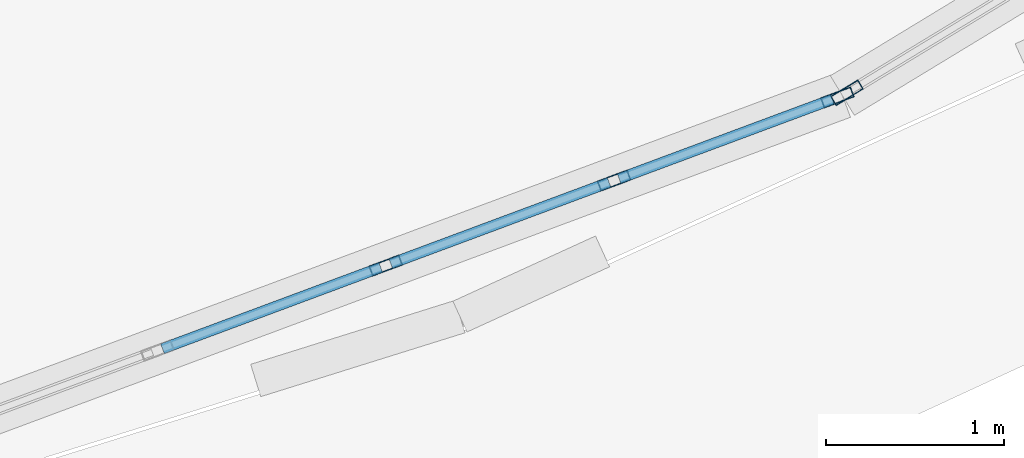
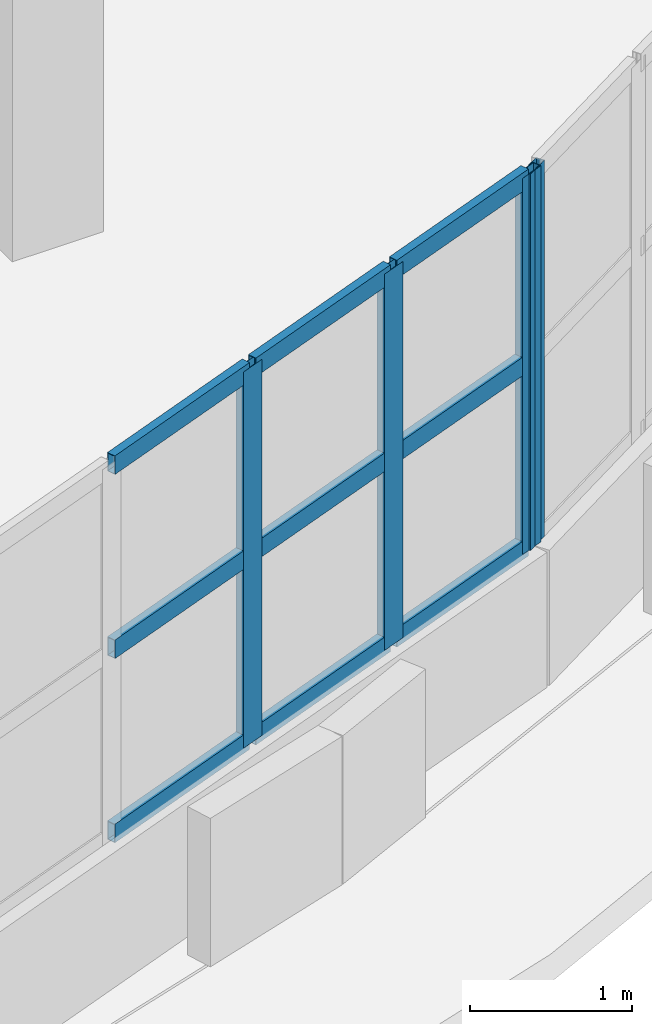
# One storey, part 13 of 105: 13 members, 2 elements without a shape of their own.
"""IFC4 building model written with IfcOpenShell, lengths in metres."""

from ifc_helpers import new_model, si_unit, direction, frame, origin, origin_2d, place, context, subcontext, project, spatial, hollow_rectangle, extrude, material, layer, layer_set, material_profile, profile_set, type_object, element, aggregate, save


model = new_model("IFC4")

# Units and contexts
model_context = context("Model", 3, precision=1e-05, world=origin(), true_north=direction((0.0, 1.0)))
body_context = subcontext(model_context, "Body", "Model", "MODEL_VIEW")
ifc_project = project(units=[si_unit("LENGTHUNIT", "METRE"), si_unit("AREAUNIT", "SQUARE_METRE"), si_unit("VOLUMEUNIT", "CUBIC_METRE"), si_unit("PLANEANGLEUNIT", "RADIAN"), si_unit("MASSUNIT", "GRAM", prefix="KILO")], contexts=[model_context])

# Site, building, storey
site_placement = place(None, origin())
site = spatial("IfcSite", under=ifc_project, at=site_placement, CompositionType="ELEMENT")
building_placement = place(site_placement, origin())
building = spatial("IfcBuilding", under=site, at=building_placement, Name="Pelvatis Terrace Science Centre", CompositionType="ELEMENT")
storey_placement = place(building_placement, frame((0.0, 0.0, 10.199951171875)))
storey = spatial("IfcBuildingStorey", under=building, at=storey_placement, Name="L02", CompositionType="ELEMENT", Elevation=10.199951171875)

# Curtain wall, members
ifc_material_1 = material(Name="Bronze-anodised aluminium and laminated glass", Category="aluminium")
ifc_layer = layer(ifc_material_1, 0.179931640625)
ifc_layer_set = layer_set([ifc_layer], Name="Bronze-anodised aluminium and laminated glass")
curtain_wall_type = type_object("IfcCurtainWallType", Name="CW-RIBBON-A", PredefinedType="NOTDEFINED", material=ifc_layer_set)
curtain_wall_1_placement = place(storey_placement, origin())
curtain_wall_1 = element("IfcCurtainWall", 1, at=curtain_wall_1_placement, inside=storey, type_object=curtain_wall_type, Name="Ribbon curtain wall CW-177 (L02)", PredefinedType="NOTDEFINED")
ifc_material_2 = material(Name="Bronze-anodised aluminium 6063-T6", Category="aluminium")
ifc_material_profile_1 = material_profile(ifc_material_2, hollow_rectangle(XDim=0.06005859375, YDim=0.179931640625, WallThickness=0.00390625, at=origin_2d()), Name="ALU-MUL 60x180")
ifc_profile_set_1 = profile_set([ifc_material_profile_1], Name="Bronze-anodised aluminium 6063-T6")
member_type_1 = type_object("IfcMemberType", Name="CWM-60x180", PredefinedType="MULLION", material=ifc_profile_set_1)
member_1_placement = place(storey_placement, frame((121.4609375, 63.003173828125, 1.02001953125), z_axis=(0.0, 0.0, 1.0), x_axis=(-0.348869228095, 0.937171415318, 0.0)))
member_1 = element("IfcMember", 2, at=member_1_placement, type_object=member_type_1, Name="CW-177 mullion 3", PredefinedType="MULLION", context=body_context, shape_type="SweptSolid", body=[
    extrude(hollow_rectangle(XDim=0.06005859375, YDim=0.179931640625, WallThickness=0.00390625, at=origin_2d()), origin(), (0.0, 0.0, 1.0), 2.840087890625),
])
member_2_placement = place(storey_placement, frame((122.742919921875, 63.48046875, 1.02001953125), z_axis=(0.0, 0.0, 1.0), x_axis=(-0.348869228095, 0.937171415318, 0.0)))
member_2 = element("IfcMember", 3, at=member_2_placement, type_object=member_type_1, Name="CW-177 mullion 4", PredefinedType="MULLION", context=body_context, shape_type="SweptSolid", body=[
    extrude(hollow_rectangle(XDim=0.06005859375, YDim=0.179931640625, WallThickness=0.00390625, at=origin_2d()), origin(), (0.0, 0.0, 1.0), 2.840087890625),
])
member_3_placement = place(storey_placement, frame((123.996826171875, 63.947265625, 1.02001953125), z_axis=(0.0, 0.0, 1.0), x_axis=(-0.348869228095, 0.937171415318, 0.0)))
member_3 = element("IfcMember", 4, at=member_3_placement, type_object=member_type_1, Name="CW-177 mullion 5", PredefinedType="MULLION", context=body_context, shape_type="SweptSolid", body=[
    extrude(hollow_rectangle(XDim=0.06005859375, YDim=0.179931640625, WallThickness=0.00390625, at=origin_2d()), origin(), (0.0, 0.0, 1.0), 2.840087890625),
])

# Curtain wall, member
curtain_wall_2_placement = place(storey_placement, origin())
curtain_wall_2 = element("IfcCurtainWall", 5, at=curtain_wall_2_placement, inside=storey, type_object=curtain_wall_type, Name="Ribbon curtain wall CW-178 (L02)", PredefinedType="NOTDEFINED")
member_4_placement = place(storey_placement, frame((124.050537109375, 63.973388671875, 1.02001953125), z_axis=(0.0, 0.0, 1.0), x_axis=(-0.519190278561, 0.854658677279, 0.0)))
member_4 = element("IfcMember", 6, at=member_4_placement, type_object=member_type_1, Name="CW-178 mullion 1", PredefinedType="MULLION", context=body_context, shape_type="SweptSolid", body=[
    extrude(hollow_rectangle(XDim=0.06005859375, YDim=0.179931640625, WallThickness=0.00390625, at=origin_2d()), origin(), (0.0, 0.0, 1.0), 2.840087890625),
])
aggregate(curtain_wall_2, [member_4])

# Member
ifc_material_3 = material(Name="Bronze-anodised aluminium 6063-T6", Category="aluminium")
ifc_material_profile_2 = material_profile(ifc_material_3, hollow_rectangle(XDim=0.06005859375, YDim=0.139892578125, WallThickness=0.00390625, at=origin_2d()), Name="ALU-TRN 60x140")
ifc_profile_set_2 = profile_set([ifc_material_profile_2], Name="Bronze-anodised aluminium 6063-T6")
member_type_2 = type_object("IfcMemberType", Name="CWT-60x140", PredefinedType="USERDEFINED", material=ifc_profile_set_2)
member_5_placement = place(storey_placement, frame((120.207275390625, 62.536376953125, 1.050048828125), z_axis=(0.937155141954, 0.348912940301, 0.0), x_axis=(-0.348912940301, 0.937155141954, 0.0)))
member_5 = element("IfcMember", 7, at=member_5_placement, type_object=member_type_2, Name="CW-177 transom 2.1", ObjectType="TRANSOM", PredefinedType="USERDEFINED", context=body_context, shape_type="SweptSolid", body=[
    extrude(hollow_rectangle(XDim=0.06005859375, YDim=0.139892578125, WallThickness=0.00390625, at=origin_2d()), origin(), (0.0, 0.0, 1.0), 1.307861328125),
])

member_6_placement = place(storey_placement, frame((120.207275390625, 62.536376953125, 2.43994140625), z_axis=(0.937155141954, 0.348912940301, 0.0), x_axis=(-0.348912940301, 0.937155141954, 0.0)))
member_6 = element("IfcMember", 8, at=member_6_placement, type_object=member_type_2, Name="CW-177 transom 2.2", ObjectType="TRANSOM", PredefinedType="USERDEFINED", context=body_context, shape_type="SweptSolid", body=[
    extrude(hollow_rectangle(XDim=0.06005859375, YDim=0.139892578125, WallThickness=0.00390625, at=origin_2d()), origin(), (0.0, 0.0, 1.0), 1.307861328125),
])

member_7_placement = place(storey_placement, frame((120.207275390625, 62.536376953125, 3.830078125), z_axis=(0.937155141954, 0.348912940301, 0.0), x_axis=(-0.348912940301, 0.937155141954, 0.0)))
member_7 = element("IfcMember", 9, at=member_7_placement, type_object=member_type_2, Name="CW-177 transom 2.3", ObjectType="TRANSOM", PredefinedType="USERDEFINED", context=body_context, shape_type="SweptSolid", body=[
    extrude(hollow_rectangle(XDim=0.06005859375, YDim=0.139892578125, WallThickness=0.00390625, at=origin_2d()), origin(), (0.0, 0.0, 1.0), 1.307861328125),
])

member_8_placement = place(storey_placement, frame((121.4892578125, 63.013671875, 1.050048828125), z_axis=(0.937155141954, 0.348912940301, 0.0), x_axis=(-0.348912940301, 0.937155141954, 0.0)))
member_8 = element("IfcMember", 10, at=member_8_placement, type_object=member_type_2, Name="CW-177 transom 3.1", ObjectType="TRANSOM", PredefinedType="USERDEFINED", context=body_context, shape_type="SweptSolid", body=[
    extrude(hollow_rectangle(XDim=0.06005859375, YDim=0.139892578125, WallThickness=0.00390625, at=origin_2d()), origin(), (0.0, 0.0, 1.0), 1.307861328125),
])

member_9_placement = place(storey_placement, frame((121.4892578125, 63.013671875, 2.43994140625), z_axis=(0.937155141954, 0.348912940301, 0.0), x_axis=(-0.348912940301, 0.937155141954, 0.0)))
member_9 = element("IfcMember", 11, at=member_9_placement, type_object=member_type_2, Name="CW-177 transom 3.2", ObjectType="TRANSOM", PredefinedType="USERDEFINED", context=body_context, shape_type="SweptSolid", body=[
    extrude(hollow_rectangle(XDim=0.06005859375, YDim=0.139892578125, WallThickness=0.00390625, at=origin_2d()), origin(), (0.0, 0.0, 1.0), 1.307861328125),
])

member_10_placement = place(storey_placement, frame((121.4892578125, 63.013671875, 3.830078125), z_axis=(0.937155141954, 0.348912940301, 0.0), x_axis=(-0.348912940301, 0.937155141954, 0.0)))
member_10 = element("IfcMember", 12, at=member_10_placement, type_object=member_type_2, Name="CW-177 transom 3.3", ObjectType="TRANSOM", PredefinedType="USERDEFINED", context=body_context, shape_type="SweptSolid", body=[
    extrude(hollow_rectangle(XDim=0.06005859375, YDim=0.139892578125, WallThickness=0.00390625, at=origin_2d()), origin(), (0.0, 0.0, 1.0), 1.307861328125),
])

member_11_placement = place(storey_placement, frame((122.771240234375, 63.490966796875, 1.050048828125), z_axis=(0.937166653275, 0.348882020159, 0.0), x_axis=(-0.348882020159, 0.937166653275, 0.0)))
member_11 = element("IfcMember", 13, at=member_11_placement, type_object=member_type_2, Name="CW-177 transom 4.1", ObjectType="TRANSOM", PredefinedType="USERDEFINED", context=body_context, shape_type="SweptSolid", body=[
    extrude(hollow_rectangle(XDim=0.06005859375, YDim=0.139892578125, WallThickness=0.00390625, at=origin_2d()), origin(), (0.0, 0.0, 1.0), 1.27783203125),
])

member_12_placement = place(storey_placement, frame((122.771240234375, 63.490966796875, 2.43994140625), z_axis=(0.937166653275, 0.348882020159, 0.0), x_axis=(-0.348882020159, 0.937166653275, 0.0)))
member_12 = element("IfcMember", 14, at=member_12_placement, type_object=member_type_2, Name="CW-177 transom 4.2", ObjectType="TRANSOM", PredefinedType="USERDEFINED", context=body_context, shape_type="SweptSolid", body=[
    extrude(hollow_rectangle(XDim=0.06005859375, YDim=0.139892578125, WallThickness=0.00390625, at=origin_2d()), origin(), (0.0, 0.0, 1.0), 1.27783203125),
])

member_13_placement = place(storey_placement, frame((122.771240234375, 63.490966796875, 3.830078125), z_axis=(0.937166653275, 0.348882020159, 0.0), x_axis=(-0.348882020159, 0.937166653275, 0.0)))
member_13 = element("IfcMember", 15, at=member_13_placement, type_object=member_type_2, Name="CW-177 transom 4.3", ObjectType="TRANSOM", PredefinedType="USERDEFINED", context=body_context, shape_type="SweptSolid", body=[
    extrude(hollow_rectangle(XDim=0.06005859375, YDim=0.139892578125, WallThickness=0.00390625, at=origin_2d()), origin(), (0.0, 0.0, 1.0), 1.27783203125),
])

aggregate(curtain_wall_1, [member_1, member_2, member_3, member_5, member_6, member_7, member_8, member_9, member_10, member_11, member_12, member_13])

save(model, "model.ifc")
